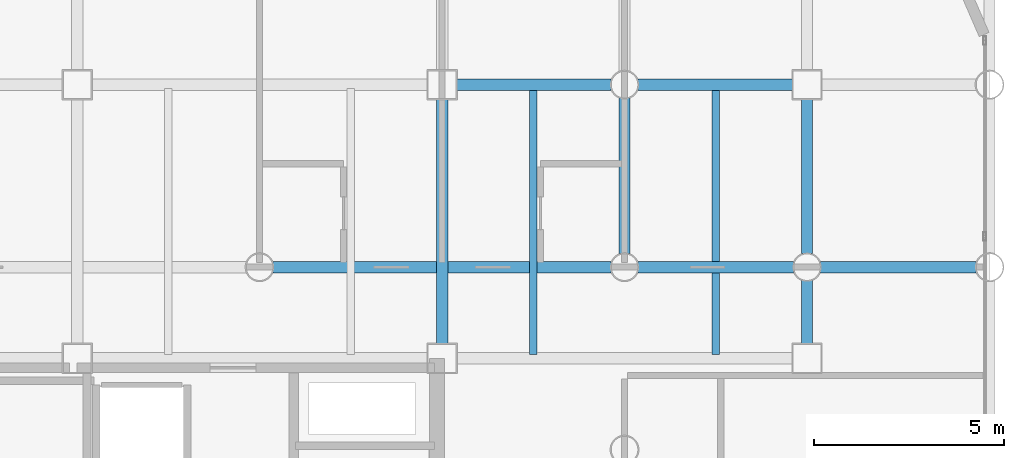
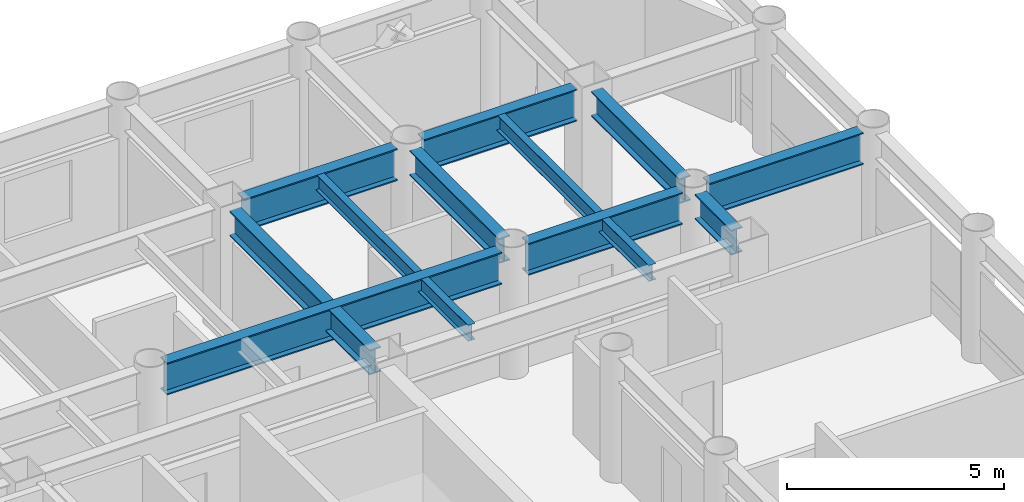
# One storey, part 13 of 21: 11 beams.
"""IFC4 building model written with IfcOpenShell, lengths in metres."""

from ifc_helpers import new_model, si_unit, direction, frame, origin, origin_2d, place, context, subcontext, project, spatial, i_section, extrude, material, material_profile, profile_set, type_object, element, save


model = new_model("IFC4")

# Units and contexts
model_context = context("Model", 3, precision=1e-05, world=origin(), true_north=direction((0.0, 1.0)))
body_context = subcontext(model_context, "Body", "Model", "MODEL_VIEW")
ifc_project = project(units=[si_unit("LENGTHUNIT", "METRE"), si_unit("AREAUNIT", "SQUARE_METRE"), si_unit("VOLUMEUNIT", "CUBIC_METRE"), si_unit("PLANEANGLEUNIT", "RADIAN"), si_unit("MASSUNIT", "GRAM", prefix="KILO")], contexts=[model_context])

# Site, building, storey
site_placement = place(None, origin())
site = spatial("IfcSite", under=ifc_project, at=site_placement, CompositionType="ELEMENT")
building_placement = place(site_placement, origin())
building = spatial("IfcBuilding", under=site, at=building_placement, Name="Kallvorn Hotel Tower", CompositionType="ELEMENT")
storey_placement = place(building_placement, frame((0.0, 0.0, 44.800048828125)))
storey = spatial("IfcBuildingStorey", under=building, at=storey_placement, Name="L09", CompositionType="ELEMENT", Elevation=44.800048828125)

# Beams
ifc_material_1 = material(Name="Structural steel S355JR", Category="steel")
ifc_material_profile_1 = material_profile(ifc_material_1, i_section(OverallWidth=0.300048828125, OverallDepth=0.699951171875, WebThickness=0.01708984375, FlangeThickness=0.031982421875, at=origin_2d()), Name="HE 700 B")
ifc_profile_set_1 = profile_set([ifc_material_profile_1], Name="Structural steel S355JR")
beam_type_1 = type_object("IfcBeamType", Name="BM_HE700B", PredefinedType="BEAM", material=ifc_profile_set_1)
beam_1_placement = place(storey_placement, frame((14.39990234375, 7.574951171875, 3.169921875), z_axis=(0.0, 1.0, 0.0), x_axis=(-1.0, 0.0, 0.0)))
element("IfcBeam", 1, at=beam_1_placement, inside=storey, type_object=beam_type_1, Name="L10 Primary Y-Girder 125", PredefinedType="BEAM", context=body_context, shape_type="SweptSolid", body=[
    extrude(i_section(OverallWidth=0.300048828125, OverallDepth=0.699951171875, WebThickness=0.01708984375, FlangeThickness=0.031982421875, at=origin_2d()), origin(), (0.0, 0.0, 1.0), 6.449951171875),
])
beam_2_placement = place(storey_placement, frame((19.199951171875, 9.9560546875, 3.169921875), z_axis=(0.0, 1.0, 0.0), x_axis=(-1.0, 0.0, 0.0)))
element("IfcBeam", 2, at=beam_2_placement, inside=storey, type_object=beam_type_1, Name="L10 Primary Y-Girder 134", PredefinedType="BEAM", context=body_context, shape_type="SweptSolid", body=[
    extrude(i_section(OverallWidth=0.300048828125, OverallDepth=0.699951171875, WebThickness=0.01708984375, FlangeThickness=0.031982421875, at=origin_2d()), origin(), (0.0, 0.0, 1.0), 4.087890625),
])
beam_3_placement = place(storey_placement, frame((24.0, 7.574951171875, 3.169921875), z_axis=(0.0, 1.0, 0.0), x_axis=(-1.0, 0.0, 0.0)))
element("IfcBeam", 3, at=beam_3_placement, inside=storey, type_object=beam_type_1, Name="L10 Primary Y-Girder 140", PredefinedType="BEAM", context=body_context, shape_type="SweptSolid", body=[
    extrude(i_section(OverallWidth=0.300048828125, OverallDepth=0.699951171875, WebThickness=0.01708984375, FlangeThickness=0.031982421875, at=origin_2d()), origin(), (0.0, 0.0, 1.0), 1.6689453125),
])
beam_4_placement = place(storey_placement, frame((24.0, 9.9560546875, 3.169921875), z_axis=(0.0, 1.0, 0.0), x_axis=(-1.0, 0.0, 0.0)))
element("IfcBeam", 4, at=beam_4_placement, inside=storey, type_object=beam_type_1, Name="L10 Primary Y-Girder 141", PredefinedType="BEAM", context=body_context, shape_type="SweptSolid", body=[
    extrude(i_section(OverallWidth=0.300048828125, OverallDepth=0.699951171875, WebThickness=0.01708984375, FlangeThickness=0.031982421875, at=origin_2d()), origin(), (0.0, 0.0, 1.0), 4.06884765625),
])
ifc_material_2 = material(Name="Structural steel S355JR", Category="steel")
ifc_material_profile_2 = material_profile(ifc_material_2, i_section(OverallWidth=0.300048828125, OverallDepth=0.89990234375, WebThickness=0.0185546875, FlangeThickness=0.034912109375, at=origin_2d()), Name="HE 900 B")
ifc_profile_set_2 = profile_set([ifc_material_profile_2], Name="Structural steel S355JR")
beam_type_2 = type_object("IfcBeamType", Name="BM_HE900B", PredefinedType="BEAM", material=ifc_profile_set_2)
beam_5_placement = place(storey_placement, frame((9.9560546875, 9.60009765625, 3.070068359375), z_axis=(1.0, 0.0, 0.0), x_axis=(0.0, 1.0, 0.0)))
element("IfcBeam", 5, at=beam_5_placement, inside=storey, type_object=beam_type_2, Name="L10 Primary X-Girder 48", PredefinedType="BEAM", context=body_context, shape_type="SweptSolid", body=[
    extrude(i_section(OverallWidth=0.300048828125, OverallDepth=0.89990234375, WebThickness=0.0185546875, FlangeThickness=0.034912109375, at=origin_2d()), origin(), (0.0, 0.0, 1.0), 8.887939453125),
])
for number, where, z_axis, x_axis, name in (
    (6, (19.555908203125, 9.60009765625, 3.070068359375), (1.0, 0.0, 0.0), (0.0, 1.0, 0.0), "L10 Primary X-Girder 49"),
    (7, (24.35595703125, 9.60009765625, 3.070068359375), (1.0, 0.0, 0.0), (0.0, 1.0, 0.0), "L10 Primary X-Girder 50"),
):
    element("IfcBeam", number, at=place(storey_placement, frame(where, z_axis=z_axis, x_axis=x_axis)), inside=storey, type_object=beam_type_2, Name=name, PredefinedType="BEAM", context=body_context, shape_type="SweptSolid", body=[
        extrude(i_section(OverallWidth=0.300048828125, OverallDepth=0.89990234375, WebThickness=0.0185546875, FlangeThickness=0.034912109375, at=origin_2d()), origin(), (0.0, 0.0, 1.0), 4.088134765625),
    ])
for number, where, z_axis, x_axis, name in (
    (8, (14.77490234375, 14.39990234375, 3.070068359375), (1.0, 0.0, 0.0), (0.0, 1.0, 0.0), "L10 Primary X-Girder 58"),
    (9, (19.555908203125, 14.39990234375, 3.070068359375), (1.0, 0.0, 0.0), (0.0, 1.0, 0.0), "L10 Primary X-Girder 59"),
):
    element("IfcBeam", number, at=place(storey_placement, frame(where, z_axis=z_axis, x_axis=x_axis)), inside=storey, type_object=beam_type_2, Name=name, PredefinedType="BEAM", context=body_context, shape_type="SweptSolid", body=[
        extrude(i_section(OverallWidth=0.300048828125, OverallDepth=0.89990234375, WebThickness=0.0185546875, FlangeThickness=0.034912109375, at=origin_2d()), origin(), (0.0, 0.0, 1.0), 4.069091796875),
    ])
ifc_material_3 = material(Name="Structural steel S355JR", Category="steel")
ifc_material_profile_3 = material_profile(ifc_material_3, i_section(OverallWidth=0.18994140625, OverallDepth=0.449951171875, WebThickness=0.009521484375, FlangeThickness=0.0146484375, at=origin_2d()), Name="IPE 450")
ifc_profile_set_3 = profile_set([ifc_material_profile_3], Name="Structural steel S355JR")
beam_type_3 = type_object("IfcBeamType", Name="BM_IPE450", PredefinedType="JOIST", material=ifc_profile_set_3)
for number, where, z_axis, x_axis, name in (
    (10, (16.800048828125, 7.300048828125, 3.294921875), (0.0, 1.0, 0.0), (-1.0, 0.0, 0.0), "L10 Secondary Composite Joist 207"),
    (11, (21.60009765625, 7.300048828125, 3.294921875), (0.0, 1.0, 0.0), (-1.0, 0.0, 0.0), "L10 Secondary Composite Joist 209"),
):
    element("IfcBeam", number, at=place(storey_placement, frame(where, z_axis=z_axis, x_axis=x_axis)), inside=storey, type_object=beam_type_3, Name=name, PredefinedType="JOIST", context=body_context, shape_type="SweptSolid", body=[
        extrude(i_section(OverallWidth=0.18994140625, OverallDepth=0.449951171875, WebThickness=0.009521484375, FlangeThickness=0.0146484375, at=origin_2d()), origin(), (0.0, 0.0, 1.0), 7.0),
    ])

save(model, "model.ifc")
